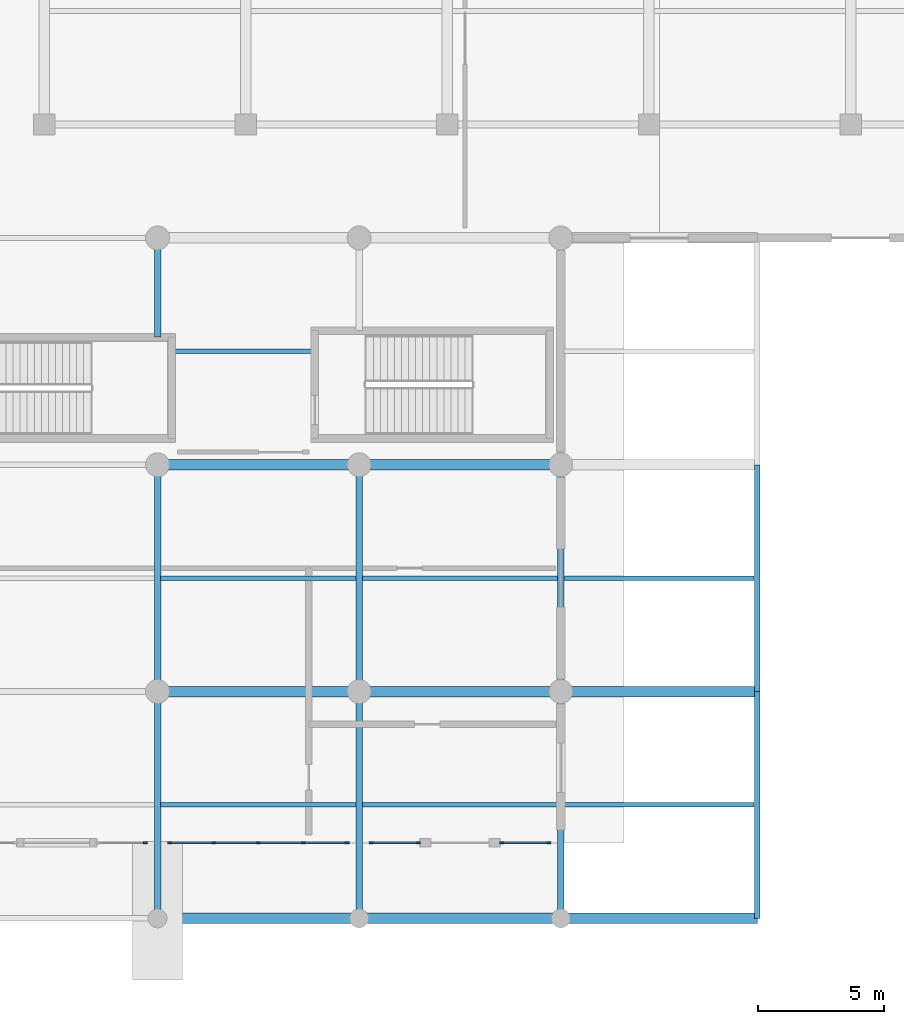
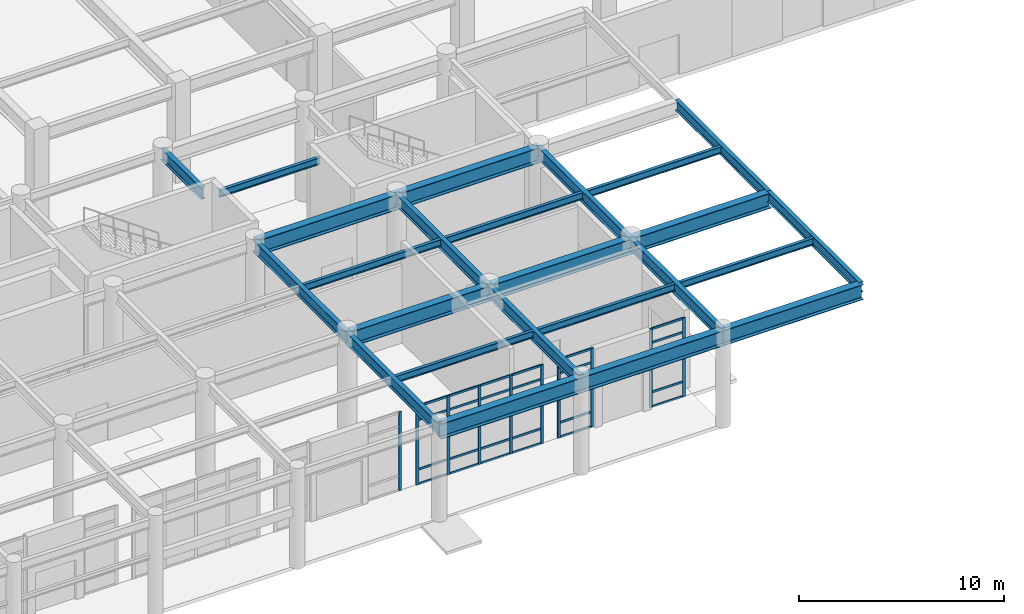
# One storey, part 15 of 49: 34 members, 21 beams, 4 elements without a shape of their own.
"""IFC4 building model written with IfcOpenShell, lengths in metres."""

from ifc_helpers import new_model, si_unit, direction, frame, origin, origin_2d, place, context, subcontext, project, spatial, rectangle, i_section, extrude, material, layer, layer_set, material_profile, profile_set, type_object, element, aggregate, save


model = new_model("IFC4")

# Units and contexts
model_context = context("Model", 3, precision=1e-05, world=origin(), true_north=direction((0.0, 1.0)))
body_context = subcontext(model_context, "Body", "Model", "MODEL_VIEW")
ifc_project = project(units=[si_unit("LENGTHUNIT", "METRE"), si_unit("AREAUNIT", "SQUARE_METRE"), si_unit("VOLUMEUNIT", "CUBIC_METRE"), si_unit("PLANEANGLEUNIT", "RADIAN"), si_unit("MASSUNIT", "GRAM", prefix="KILO")], contexts=[model_context])

# Site, building, storey
site_placement = place(None, origin())
site = spatial("IfcSite", under=ifc_project, at=site_placement, CompositionType="ELEMENT")
building_placement = place(site_placement, origin())
building = spatial("IfcBuilding", under=site, at=building_placement, Name="Tlacozan Convention Centre", CompositionType="ELEMENT")
storey_placement = place(building_placement, origin())
storey = spatial("IfcBuildingStorey", under=building, at=storey_placement, Name="L00", CompositionType="ELEMENT", Elevation=0.0)

# Beams
ifc_material_1 = material(Name="Steel ASTM A992 Grade 50", Category="steel")
ifc_material_profile_1 = material_profile(ifc_material_1, i_section(OverallWidth=0.41796875, OverallDepth=0.912109375, WebThickness=0.019287109375, FlangeThickness=0.031982421875, FilletRadius=0.02001953125, at=origin_2d()), Name="IR 914x342.0")
ifc_profile_set_1 = profile_set([ifc_material_profile_1], Name="Steel ASTM A992 Grade 50")
beam_type_1 = type_object("IfcBeamType", Name="Cantilever Girder IR 914x342", PredefinedType="BEAM", material=ifc_profile_set_1)
for number, where, z_axis, x_axis, name in (
    (1, (112.0, 0.0, 5.263916015625), (1.0, 0.0, 0.0), (0.0, 1.0, 0.0), "L00 Cantilever Girder IR 914x342 177"),
    (2, (112.0, 9.0, 5.263916015625), (1.0, 0.0, 0.0), (0.0, 1.0, 0.0), "L00 Cantilever Girder IR 914x342 181"),
):
    element("IfcBeam", number, at=place(storey_placement, frame(where, z_axis=z_axis, x_axis=x_axis)), inside=storey, type_object=beam_type_1, Name=name, PredefinedType="BEAM", context=body_context, shape_type="SweptSolid", body=[
        extrude(i_section(OverallWidth=0.41796875, OverallDepth=0.912109375, WebThickness=0.019287109375, FlangeThickness=0.031982421875, FilletRadius=0.02001953125, at=origin_2d()), origin(), (0.0, 0.0, 1.0), 7.800048828125),
    ])

# Curtain wall, member
ifc_material_2 = material(Name="Dark Bronze Anodised Aluminium", Category="aluminium")
ifc_layer = layer(ifc_material_2, 0.159912109375)
ifc_layer_set = layer_set([ifc_layer], Name="Dark Bronze Anodised Aluminium")
curtain_wall_type = type_object("IfcCurtainWallType", Name="Unitised Concourse Curtain Wall CW01", PredefinedType="NOTDEFINED", material=ifc_layer_set)
curtain_wall_1_placement = place(storey_placement, origin())
curtain_wall_1 = element("IfcCurtainWall", 3, at=curtain_wall_1_placement, inside=storey, type_object=curtain_wall_type, Name="L00 CW-01 Run 46", PredefinedType="NOTDEFINED")
ifc_material_profile_2 = material_profile(ifc_material_2, rectangle(XDim=0.06494140625, YDim=0.159912109375, at=origin_2d()), Name="ALU 65x160")
ifc_profile_set_2 = profile_set([ifc_material_profile_2], Name="Dark Bronze Anodised Aluminium")
member_type_1 = type_object("IfcMemberType", Name="Curtain Wall Mullion 65x160", PredefinedType="MULLION", material=ifc_profile_set_2)
member_1_placement = place(storey_placement, frame((95.517578125, 3.0, 0.0), z_axis=(0.0, 0.0, 1.0), x_axis=(0.0, 1.0, 0.0)))
member_1 = element("IfcMember", 4, at=member_1_placement, type_object=member_type_1, Name="CW-01 mullion 2", PredefinedType="MULLION", context=body_context, shape_type="SweptSolid", body=[
    extrude(rectangle(XDim=0.06494140625, YDim=0.159912109375, at=origin_2d()), origin(), (0.0, 0.0, 1.0), 4.699951171875),
])
aggregate(curtain_wall_1, [member_1])

# Curtain wall, members
curtain_wall_2_placement = place(storey_placement, origin())
curtain_wall_2 = element("IfcCurtainWall", 5, at=curtain_wall_2_placement, inside=storey, type_object=curtain_wall_type, Name="L00 CW-01 Run 47", PredefinedType="NOTDEFINED")
member_2_placement = place(storey_placement, frame((96.482421875, 3.0, 0.0), z_axis=(0.0, 0.0, 1.0), x_axis=(0.0, 1.0, 0.0)))
member_2 = element("IfcMember", 6, at=member_2_placement, type_object=member_type_1, Name="CW-01 mullion 1", PredefinedType="MULLION", context=body_context, shape_type="SweptSolid", body=[
    extrude(rectangle(XDim=0.06494140625, YDim=0.159912109375, at=origin_2d()), origin(), (0.0, 0.0, 1.0), 4.699951171875),
])
member_3_placement = place(storey_placement, frame((98.22509765625, 3.0, 0.0), z_axis=(0.0, 0.0, 1.0), x_axis=(0.0, 1.0, 0.0)))
member_3 = element("IfcMember", 7, at=member_3_placement, type_object=member_type_1, Name="CW-01 mullion 2", PredefinedType="MULLION", context=body_context, shape_type="SweptSolid", body=[
    extrude(rectangle(XDim=0.06494140625, YDim=0.159912109375, at=origin_2d()), origin(), (0.0, 0.0, 1.0), 4.699951171875),
])
member_4_placement = place(storey_placement, frame((100.0, 3.0, 0.0), z_axis=(0.0, 0.0, 1.0), x_axis=(0.0, 1.0, 0.0)))
member_4 = element("IfcMember", 8, at=member_4_placement, type_object=member_type_1, Name="CW-01 mullion 3", PredefinedType="MULLION", context=body_context, shape_type="SweptSolid", body=[
    extrude(rectangle(XDim=0.06494140625, YDim=0.159912109375, at=origin_2d()), origin(), (0.0, 0.0, 1.0), 4.699951171875),
])
member_5_placement = place(storey_placement, frame((101.77490234375, 3.0, 0.0), z_axis=(0.0, 0.0, 1.0), x_axis=(0.0, 1.0, 0.0)))
member_5 = element("IfcMember", 9, at=member_5_placement, type_object=member_type_1, Name="CW-01 mullion 4", PredefinedType="MULLION", context=body_context, shape_type="SweptSolid", body=[
    extrude(rectangle(XDim=0.06494140625, YDim=0.159912109375, at=origin_2d()), origin(), (0.0, 0.0, 1.0), 4.699951171875),
])
member_6_placement = place(storey_placement, frame((103.517578125, 3.0, 0.0), z_axis=(0.0, 0.0, 1.0), x_axis=(0.0, 1.0, 0.0)))
member_6 = element("IfcMember", 10, at=member_6_placement, type_object=member_type_1, Name="CW-01 mullion 5", PredefinedType="MULLION", context=body_context, shape_type="SweptSolid", body=[
    extrude(rectangle(XDim=0.06494140625, YDim=0.159912109375, at=origin_2d()), origin(), (0.0, 0.0, 1.0), 4.699951171875),
])

curtain_wall_3_placement = place(storey_placement, origin())
curtain_wall_3 = element("IfcCurtainWall", 11, at=curtain_wall_3_placement, inside=storey, type_object=curtain_wall_type, Name="L00 CW-01 Run 48", PredefinedType="NOTDEFINED")
member_7_placement = place(storey_placement, frame((104.482421875, 3.0, 0.0), z_axis=(0.0, 0.0, 1.0), x_axis=(0.0, 1.0, 0.0)))
member_7 = element("IfcMember", 12, at=member_7_placement, type_object=member_type_1, Name="CW-01 mullion 1", PredefinedType="MULLION", context=body_context, shape_type="SweptSolid", body=[
    extrude(rectangle(XDim=0.06494140625, YDim=0.159912109375, at=origin_2d()), origin(), (0.0, 0.0, 1.0), 4.699951171875),
])
member_8_placement = place(storey_placement, frame((106.347412109375, 3.0, 0.0), z_axis=(0.0, 0.0, 1.0), x_axis=(0.0, 1.0, 0.0)))
member_8 = element("IfcMember", 13, at=member_8_placement, type_object=member_type_1, Name="CW-01 mullion 2", PredefinedType="MULLION", context=body_context, shape_type="SweptSolid", body=[
    extrude(rectangle(XDim=0.06494140625, YDim=0.159912109375, at=origin_2d()), origin(), (0.0, 0.0, 1.0), 4.699951171875),
])

curtain_wall_4_placement = place(storey_placement, origin())
curtain_wall_4 = element("IfcCurtainWall", 14, at=curtain_wall_4_placement, inside=storey, type_object=curtain_wall_type, Name="L00 CW-01 Run 49", PredefinedType="NOTDEFINED")
member_9_placement = place(storey_placement, frame((109.652587890625, 3.0, 0.0), z_axis=(0.0, 0.0, 1.0), x_axis=(0.0, 1.0, 0.0)))
member_9 = element("IfcMember", 15, at=member_9_placement, type_object=member_type_1, Name="CW-01 mullion 1", PredefinedType="MULLION", context=body_context, shape_type="SweptSolid", body=[
    extrude(rectangle(XDim=0.06494140625, YDim=0.159912109375, at=origin_2d()), origin(), (0.0, 0.0, 1.0), 4.699951171875),
])
member_10_placement = place(storey_placement, frame((111.517578125, 3.0, 0.0), z_axis=(0.0, 0.0, 1.0), x_axis=(0.0, 1.0, 0.0)))
member_10 = element("IfcMember", 16, at=member_10_placement, type_object=member_type_1, Name="CW-01 mullion 2", PredefinedType="MULLION", context=body_context, shape_type="SweptSolid", body=[
    extrude(rectangle(XDim=0.06494140625, YDim=0.159912109375, at=origin_2d()), origin(), (0.0, 0.0, 1.0), 4.699951171875),
])

# Member
ifc_material_profile_3 = material_profile(ifc_material_2, rectangle(XDim=0.06494140625, YDim=0.125, at=origin_2d()), Name="ALU 65x125")
ifc_profile_set_3 = profile_set([ifc_material_profile_3], Name="Dark Bronze Anodised Aluminium")
member_type_2 = type_object("IfcMemberType", Name="Curtain Wall Transom 65x125", PredefinedType="USERDEFINED", material=ifc_profile_set_3)
member_11_placement = place(storey_placement, frame((96.514892578125, 3.0, 0.032470703125), z_axis=(1.0, 0.0, 0.0), x_axis=(0.0, 1.0, 0.0)))
member_11 = element("IfcMember", 17, at=member_11_placement, type_object=member_type_2, Name="CW-01 transom 1.1", ObjectType="TRANSOM", PredefinedType="USERDEFINED", context=body_context, shape_type="SweptSolid", body=[
    extrude(rectangle(XDim=0.06494140625, YDim=0.125, at=origin_2d()), origin(), (0.0, 0.0, 1.0), 1.677490234375),
])

member_12_placement = place(storey_placement, frame((96.514892578125, 3.0, 0.89990234375), z_axis=(1.0, 0.0, 0.0), x_axis=(0.0, 1.0, 0.0)))
member_12 = element("IfcMember", 18, at=member_12_placement, type_object=member_type_2, Name="CW-01 transom 1.2", ObjectType="TRANSOM", PredefinedType="USERDEFINED", context=body_context, shape_type="SweptSolid", body=[
    extrude(rectangle(XDim=0.06494140625, YDim=0.125, at=origin_2d()), origin(), (0.0, 0.0, 1.0), 1.677490234375),
])

member_13_placement = place(storey_placement, frame((96.514892578125, 3.0, 3.85009765625), z_axis=(1.0, 0.0, 0.0), x_axis=(0.0, 1.0, 0.0)))
member_13 = element("IfcMember", 19, at=member_13_placement, type_object=member_type_2, Name="CW-01 transom 1.3", ObjectType="TRANSOM", PredefinedType="USERDEFINED", context=body_context, shape_type="SweptSolid", body=[
    extrude(rectangle(XDim=0.06494140625, YDim=0.125, at=origin_2d()), origin(), (0.0, 0.0, 1.0), 1.677490234375),
])

member_14_placement = place(storey_placement, frame((96.514892578125, 3.0, 4.66748046875), z_axis=(1.0, 0.0, 0.0), x_axis=(0.0, 1.0, 0.0)))
member_14 = element("IfcMember", 20, at=member_14_placement, type_object=member_type_2, Name="CW-01 transom 1.4", ObjectType="TRANSOM", PredefinedType="USERDEFINED", context=body_context, shape_type="SweptSolid", body=[
    extrude(rectangle(XDim=0.06494140625, YDim=0.125, at=origin_2d()), origin(), (0.0, 0.0, 1.0), 1.677490234375),
])

member_15_placement = place(storey_placement, frame((98.257568359375, 3.0, 0.032470703125), z_axis=(1.0, 0.0, 0.0), x_axis=(0.0, 1.0, 0.0)))
member_15 = element("IfcMember", 21, at=member_15_placement, type_object=member_type_2, Name="CW-01 transom 2.1", ObjectType="TRANSOM", PredefinedType="USERDEFINED", context=body_context, shape_type="SweptSolid", body=[
    extrude(rectangle(XDim=0.06494140625, YDim=0.125, at=origin_2d()), origin(), (0.0, 0.0, 1.0), 1.7099609375),
])

member_16_placement = place(storey_placement, frame((98.257568359375, 3.0, 0.89990234375), z_axis=(1.0, 0.0, 0.0), x_axis=(0.0, 1.0, 0.0)))
member_16 = element("IfcMember", 22, at=member_16_placement, type_object=member_type_2, Name="CW-01 transom 2.2", ObjectType="TRANSOM", PredefinedType="USERDEFINED", context=body_context, shape_type="SweptSolid", body=[
    extrude(rectangle(XDim=0.06494140625, YDim=0.125, at=origin_2d()), origin(), (0.0, 0.0, 1.0), 1.7099609375),
])

member_17_placement = place(storey_placement, frame((98.257568359375, 3.0, 3.85009765625), z_axis=(1.0, 0.0, 0.0), x_axis=(0.0, 1.0, 0.0)))
member_17 = element("IfcMember", 23, at=member_17_placement, type_object=member_type_2, Name="CW-01 transom 2.3", ObjectType="TRANSOM", PredefinedType="USERDEFINED", context=body_context, shape_type="SweptSolid", body=[
    extrude(rectangle(XDim=0.06494140625, YDim=0.125, at=origin_2d()), origin(), (0.0, 0.0, 1.0), 1.7099609375),
])

member_18_placement = place(storey_placement, frame((98.257568359375, 3.0, 4.66748046875), z_axis=(1.0, 0.0, 0.0), x_axis=(0.0, 1.0, 0.0)))
member_18 = element("IfcMember", 24, at=member_18_placement, type_object=member_type_2, Name="CW-01 transom 2.4", ObjectType="TRANSOM", PredefinedType="USERDEFINED", context=body_context, shape_type="SweptSolid", body=[
    extrude(rectangle(XDim=0.06494140625, YDim=0.125, at=origin_2d()), origin(), (0.0, 0.0, 1.0), 1.7099609375),
])

member_19_placement = place(storey_placement, frame((100.032470703125, 3.0, 0.032470703125), z_axis=(1.0, 0.0, 0.0), x_axis=(0.0, 1.0, 0.0)))
member_19 = element("IfcMember", 25, at=member_19_placement, type_object=member_type_2, Name="CW-01 transom 3.1", ObjectType="TRANSOM", PredefinedType="USERDEFINED", context=body_context, shape_type="SweptSolid", body=[
    extrude(rectangle(XDim=0.06494140625, YDim=0.125, at=origin_2d()), origin(), (0.0, 0.0, 1.0), 1.7099609375),
])

member_20_placement = place(storey_placement, frame((100.032470703125, 3.0, 0.89990234375), z_axis=(1.0, 0.0, 0.0), x_axis=(0.0, 1.0, 0.0)))
member_20 = element("IfcMember", 26, at=member_20_placement, type_object=member_type_2, Name="CW-01 transom 3.2", ObjectType="TRANSOM", PredefinedType="USERDEFINED", context=body_context, shape_type="SweptSolid", body=[
    extrude(rectangle(XDim=0.06494140625, YDim=0.125, at=origin_2d()), origin(), (0.0, 0.0, 1.0), 1.7099609375),
])

member_21_placement = place(storey_placement, frame((100.032470703125, 3.0, 3.85009765625), z_axis=(1.0, 0.0, 0.0), x_axis=(0.0, 1.0, 0.0)))
member_21 = element("IfcMember", 27, at=member_21_placement, type_object=member_type_2, Name="CW-01 transom 3.3", ObjectType="TRANSOM", PredefinedType="USERDEFINED", context=body_context, shape_type="SweptSolid", body=[
    extrude(rectangle(XDim=0.06494140625, YDim=0.125, at=origin_2d()), origin(), (0.0, 0.0, 1.0), 1.7099609375),
])

member_22_placement = place(storey_placement, frame((100.032470703125, 3.0, 4.66748046875), z_axis=(1.0, 0.0, 0.0), x_axis=(0.0, 1.0, 0.0)))
member_22 = element("IfcMember", 28, at=member_22_placement, type_object=member_type_2, Name="CW-01 transom 3.4", ObjectType="TRANSOM", PredefinedType="USERDEFINED", context=body_context, shape_type="SweptSolid", body=[
    extrude(rectangle(XDim=0.06494140625, YDim=0.125, at=origin_2d()), origin(), (0.0, 0.0, 1.0), 1.7099609375),
])

member_23_placement = place(storey_placement, frame((101.8076171875, 3.0, 0.032470703125), z_axis=(1.0, 0.0, 0.0), x_axis=(0.0, 1.0, 0.0)))
member_23 = element("IfcMember", 29, at=member_23_placement, type_object=member_type_2, Name="CW-01 transom 4.1", ObjectType="TRANSOM", PredefinedType="USERDEFINED", context=body_context, shape_type="SweptSolid", body=[
    extrude(rectangle(XDim=0.06494140625, YDim=0.125, at=origin_2d()), origin(), (0.0, 0.0, 1.0), 1.677490234375),
])

member_24_placement = place(storey_placement, frame((101.8076171875, 3.0, 0.89990234375), z_axis=(1.0, 0.0, 0.0), x_axis=(0.0, 1.0, 0.0)))
member_24 = element("IfcMember", 30, at=member_24_placement, type_object=member_type_2, Name="CW-01 transom 4.2", ObjectType="TRANSOM", PredefinedType="USERDEFINED", context=body_context, shape_type="SweptSolid", body=[
    extrude(rectangle(XDim=0.06494140625, YDim=0.125, at=origin_2d()), origin(), (0.0, 0.0, 1.0), 1.677490234375),
])

member_25_placement = place(storey_placement, frame((101.8076171875, 3.0, 3.85009765625), z_axis=(1.0, 0.0, 0.0), x_axis=(0.0, 1.0, 0.0)))
member_25 = element("IfcMember", 31, at=member_25_placement, type_object=member_type_2, Name="CW-01 transom 4.3", ObjectType="TRANSOM", PredefinedType="USERDEFINED", context=body_context, shape_type="SweptSolid", body=[
    extrude(rectangle(XDim=0.06494140625, YDim=0.125, at=origin_2d()), origin(), (0.0, 0.0, 1.0), 1.677490234375),
])

member_26_placement = place(storey_placement, frame((101.8076171875, 3.0, 4.66748046875), z_axis=(1.0, 0.0, 0.0), x_axis=(0.0, 1.0, 0.0)))
member_26 = element("IfcMember", 32, at=member_26_placement, type_object=member_type_2, Name="CW-01 transom 4.4", ObjectType="TRANSOM", PredefinedType="USERDEFINED", context=body_context, shape_type="SweptSolid", body=[
    extrude(rectangle(XDim=0.06494140625, YDim=0.125, at=origin_2d()), origin(), (0.0, 0.0, 1.0), 1.677490234375),
])

aggregate(curtain_wall_2, [member_2, member_3, member_4, member_5, member_6, member_11, member_12, member_13, member_14, member_15, member_16, member_17, member_18, member_19, member_20, member_21, member_22, member_23, member_24, member_25, member_26])

member_27_placement = place(storey_placement, frame((104.514892578125, 3.0, 0.032470703125), z_axis=(1.0, 0.0, 0.0), x_axis=(0.0, 1.0, 0.0)))
member_27 = element("IfcMember", 33, at=member_27_placement, type_object=member_type_2, Name="CW-01 transom 1.1", ObjectType="TRANSOM", PredefinedType="USERDEFINED", context=body_context, shape_type="SweptSolid", body=[
    extrude(rectangle(XDim=0.06494140625, YDim=0.125, at=origin_2d()), origin(), (0.0, 0.0, 1.0), 1.800048828125),
])

member_28_placement = place(storey_placement, frame((104.514892578125, 3.0, 0.89990234375), z_axis=(1.0, 0.0, 0.0), x_axis=(0.0, 1.0, 0.0)))
member_28 = element("IfcMember", 34, at=member_28_placement, type_object=member_type_2, Name="CW-01 transom 1.2", ObjectType="TRANSOM", PredefinedType="USERDEFINED", context=body_context, shape_type="SweptSolid", body=[
    extrude(rectangle(XDim=0.06494140625, YDim=0.125, at=origin_2d()), origin(), (0.0, 0.0, 1.0), 1.800048828125),
])

member_29_placement = place(storey_placement, frame((104.514892578125, 3.0, 3.85009765625), z_axis=(1.0, 0.0, 0.0), x_axis=(0.0, 1.0, 0.0)))
member_29 = element("IfcMember", 35, at=member_29_placement, type_object=member_type_2, Name="CW-01 transom 1.3", ObjectType="TRANSOM", PredefinedType="USERDEFINED", context=body_context, shape_type="SweptSolid", body=[
    extrude(rectangle(XDim=0.06494140625, YDim=0.125, at=origin_2d()), origin(), (0.0, 0.0, 1.0), 1.800048828125),
])

member_30_placement = place(storey_placement, frame((104.514892578125, 3.0, 4.66748046875), z_axis=(1.0, 0.0, 0.0), x_axis=(0.0, 1.0, 0.0)))
member_30 = element("IfcMember", 36, at=member_30_placement, type_object=member_type_2, Name="CW-01 transom 1.4", ObjectType="TRANSOM", PredefinedType="USERDEFINED", context=body_context, shape_type="SweptSolid", body=[
    extrude(rectangle(XDim=0.06494140625, YDim=0.125, at=origin_2d()), origin(), (0.0, 0.0, 1.0), 1.800048828125),
])

aggregate(curtain_wall_3, [member_7, member_8, member_27, member_28, member_29, member_30])

member_31_placement = place(storey_placement, frame((109.68505859375, 3.0, 0.032470703125), z_axis=(1.0, 0.0, 0.0), x_axis=(0.0, 1.0, 0.0)))
member_31 = element("IfcMember", 37, at=member_31_placement, type_object=member_type_2, Name="CW-01 transom 1.1", ObjectType="TRANSOM", PredefinedType="USERDEFINED", context=body_context, shape_type="SweptSolid", body=[
    extrude(rectangle(XDim=0.06494140625, YDim=0.125, at=origin_2d()), origin(), (0.0, 0.0, 1.0), 1.800048828125),
])

member_32_placement = place(storey_placement, frame((109.68505859375, 3.0, 0.89990234375), z_axis=(1.0, 0.0, 0.0), x_axis=(0.0, 1.0, 0.0)))
member_32 = element("IfcMember", 38, at=member_32_placement, type_object=member_type_2, Name="CW-01 transom 1.2", ObjectType="TRANSOM", PredefinedType="USERDEFINED", context=body_context, shape_type="SweptSolid", body=[
    extrude(rectangle(XDim=0.06494140625, YDim=0.125, at=origin_2d()), origin(), (0.0, 0.0, 1.0), 1.800048828125),
])

member_33_placement = place(storey_placement, frame((109.68505859375, 3.0, 3.85009765625), z_axis=(1.0, 0.0, 0.0), x_axis=(0.0, 1.0, 0.0)))
member_33 = element("IfcMember", 39, at=member_33_placement, type_object=member_type_2, Name="CW-01 transom 1.3", ObjectType="TRANSOM", PredefinedType="USERDEFINED", context=body_context, shape_type="SweptSolid", body=[
    extrude(rectangle(XDim=0.06494140625, YDim=0.125, at=origin_2d()), origin(), (0.0, 0.0, 1.0), 1.800048828125),
])

member_34_placement = place(storey_placement, frame((109.68505859375, 3.0, 4.66748046875), z_axis=(1.0, 0.0, 0.0), x_axis=(0.0, 1.0, 0.0)))
member_34 = element("IfcMember", 40, at=member_34_placement, type_object=member_type_2, Name="CW-01 transom 1.4", ObjectType="TRANSOM", PredefinedType="USERDEFINED", context=body_context, shape_type="SweptSolid", body=[
    extrude(rectangle(XDim=0.06494140625, YDim=0.125, at=origin_2d()), origin(), (0.0, 0.0, 1.0), 1.800048828125),
])

aggregate(curtain_wall_4, [member_9, member_10, member_31, member_32, member_33, member_34])

# Beams
ifc_material_profile_4 = material_profile(ifc_material_1, i_section(OverallWidth=0.256103515625, OverallDepth=0.693115234375, WebThickness=0.014404296875, FlangeThickness=0.023681640625, FilletRadius=0.014892578125, at=origin_2d()), Name="IR 686x170.0")
ifc_profile_set_4 = profile_set([ifc_material_profile_4], Name="Steel ASTM A992 Grade 50")
beam_type_2 = type_object("IfcBeamType", Name="Girder Steel IR 686x170", PredefinedType="BEAM", material=ifc_profile_set_4)
for number, where, z_axis, x_axis, name in (
    (41, (96.0, 0.0, 5.37353515625), (0.0, 1.0, 0.0), (-1.0, 0.0, 0.0), "L00 Girder Steel IR 686x170 159"),
    (42, (96.0, 9.0, 5.37353515625), (0.0, 1.0, 0.0), (-1.0, 0.0, 0.0), "L00 Girder Steel IR 686x170 160"),
):
    element("IfcBeam", number, at=place(storey_placement, frame(where, z_axis=z_axis, x_axis=x_axis)), inside=storey, type_object=beam_type_2, Name=name, PredefinedType="BEAM", context=body_context, shape_type="SweptSolid", body=[
        extrude(i_section(OverallWidth=0.256103515625, OverallDepth=0.693115234375, WebThickness=0.014404296875, FlangeThickness=0.023681640625, FilletRadius=0.014892578125, at=origin_2d()), origin(), (0.0, 0.0, 1.0), 9.0),
    ])
beam_1_placement = place(storey_placement, frame((96.0, 23.06005859375, 5.37353515625), z_axis=(0.0, 1.0, 0.0), x_axis=(-1.0, 0.0, 0.0)))
element("IfcBeam", 43, at=beam_1_placement, inside=storey, type_object=beam_type_2, Name="L00 Girder Steel IR 686x170 161", PredefinedType="BEAM", context=body_context, shape_type="SweptSolid", body=[
    extrude(i_section(OverallWidth=0.256103515625, OverallDepth=0.693115234375, WebThickness=0.014404296875, FlangeThickness=0.023681640625, FilletRadius=0.014892578125, at=origin_2d()), origin(), (0.0, 0.0, 1.0), 3.93994140625),
])
for number, where, z_axis, x_axis, name in (
    (44, (104.0, 0.0, 5.37353515625), (0.0, 1.0, 0.0), (-1.0, 0.0, 0.0), "L00 Girder Steel IR 686x170 162"),
    (45, (104.0, 9.0, 5.37353515625), (0.0, 1.0, 0.0), (-1.0, 0.0, 0.0), "L00 Girder Steel IR 686x170 163"),
    (46, (112.0, 0.0, 5.37353515625), (0.0, 1.0, 0.0), (-1.0, 0.0, 0.0), "L00 Girder Steel IR 686x170 165"),
    (47, (112.0, 9.0, 5.37353515625), (0.0, 1.0, 0.0), (-1.0, 0.0, 0.0), "L00 Girder Steel IR 686x170 166"),
):
    element("IfcBeam", number, at=place(storey_placement, frame(where, z_axis=z_axis, x_axis=x_axis)), inside=storey, type_object=beam_type_2, Name=name, PredefinedType="BEAM", context=body_context, shape_type="SweptSolid", body=[
        extrude(i_section(OverallWidth=0.256103515625, OverallDepth=0.693115234375, WebThickness=0.014404296875, FlangeThickness=0.023681640625, FilletRadius=0.014892578125, at=origin_2d()), origin(), (0.0, 0.0, 1.0), 9.0),
    ])
ifc_material_profile_5 = material_profile(ifc_material_1, i_section(OverallWidth=0.22900390625, OverallDepth=0.612060546875, WebThickness=0.011962890625, FlangeThickness=0.01953125, FilletRadius=0.012939453125, at=origin_2d()), Name="IR 610x125.0")
ifc_profile_set_5 = profile_set([ifc_material_profile_5], Name="Steel ASTM A992 Grade 50")
beam_type_3 = type_object("IfcBeamType", Name="Perimeter Spandrel IR 610x125", PredefinedType="SPANDREL", material=ifc_profile_set_5)
for number, where, z_axis, x_axis, name in (
    (48, (119.800048828125, 0.0, 5.4140625), (0.0, 1.0, 0.0), (-1.0, 0.0, 0.0), "L00 Perimeter Spandrel IR 610x125 171"),
    (49, (119.800048828125, 9.0, 5.4140625), (0.0, 1.0, 0.0), (-1.0, 0.0, 0.0), "L00 Perimeter Spandrel IR 610x125 172"),
):
    element("IfcBeam", number, at=place(storey_placement, frame(where, z_axis=z_axis, x_axis=x_axis)), inside=storey, type_object=beam_type_3, Name=name, PredefinedType="SPANDREL", context=body_context, shape_type="SweptSolid", body=[
        extrude(i_section(OverallWidth=0.22900390625, OverallDepth=0.612060546875, WebThickness=0.011962890625, FlangeThickness=0.01953125, FilletRadius=0.012939453125, at=origin_2d()), origin(), (0.0, 0.0, 1.0), 9.0),
    ])
ifc_material_profile_6 = material_profile(ifc_material_1, i_section(OverallWidth=0.179931640625, OverallDepth=0.4130859375, WebThickness=0.009765625, FlangeThickness=0.01611328125, FilletRadius=0.010986328125, at=origin_2d()), Name="IR 406x74.4")
ifc_profile_set_6 = profile_set([ifc_material_profile_6], Name="Steel ASTM A992 Grade 50")
beam_type_4 = type_object("IfcBeamType", Name="Secondary Joist IR 406x74.4", PredefinedType="JOIST", material=ifc_profile_set_6)
for number, where, z_axis, x_axis, name in (
    (50, (96.1259765625, 4.5, 5.513427734375), (1.0, 0.0, 0.0), (0.0, 1.0, 0.0), "L00 Secondary Joist IR 406x74.4 255"),
    (51, (96.1259765625, 13.5, 5.513427734375), (1.0, 0.0, 0.0), (0.0, 1.0, 0.0), "L00 Secondary Joist IR 406x74.4 256"),
):
    element("IfcBeam", number, at=place(storey_placement, frame(where, z_axis=z_axis, x_axis=x_axis)), inside=storey, type_object=beam_type_4, Name=name, PredefinedType="JOIST", context=body_context, shape_type="SweptSolid", body=[
        extrude(i_section(OverallWidth=0.179931640625, OverallDepth=0.4130859375, WebThickness=0.009765625, FlangeThickness=0.01611328125, FilletRadius=0.010986328125, at=origin_2d()), origin(), (0.0, 0.0, 1.0), 7.748046875),
    ])
beam_2_placement = place(storey_placement, frame((96.56005859375, 22.5, 5.513427734375), z_axis=(1.0, 0.0, 0.0), x_axis=(0.0, 1.0, 0.0)))
element("IfcBeam", 52, at=beam_2_placement, inside=storey, type_object=beam_type_4, Name="L00 Secondary Joist IR 406x74.4 257", PredefinedType="JOIST", context=body_context, shape_type="SweptSolid", body=[
    extrude(i_section(OverallWidth=0.179931640625, OverallDepth=0.4130859375, WebThickness=0.009765625, FlangeThickness=0.01611328125, FilletRadius=0.010986328125, at=origin_2d()), origin(), (0.0, 0.0, 1.0), 5.679931640625),
])
for number, where, z_axis, x_axis, name in (
    (53, (104.1259765625, 4.5, 5.513427734375), (1.0, 0.0, 0.0), (0.0, 1.0, 0.0), "L00 Secondary Joist IR 406x74.4 258"),
    (54, (104.1259765625, 13.5, 5.513427734375), (1.0, 0.0, 0.0), (0.0, 1.0, 0.0), "L00 Secondary Joist IR 406x74.4 259"),
):
    element("IfcBeam", number, at=place(storey_placement, frame(where, z_axis=z_axis, x_axis=x_axis)), inside=storey, type_object=beam_type_4, Name=name, PredefinedType="JOIST", context=body_context, shape_type="SweptSolid", body=[
        extrude(i_section(OverallWidth=0.179931640625, OverallDepth=0.4130859375, WebThickness=0.009765625, FlangeThickness=0.01611328125, FilletRadius=0.010986328125, at=origin_2d()), origin(), (0.0, 0.0, 1.0), 7.748046875),
    ])
for number, where, z_axis, x_axis, name in (
    (55, (112.1259765625, 4.5, 5.513427734375), (1.0, 0.0, 0.0), (0.0, 1.0, 0.0), "L00 Secondary Joist IR 406x74.4 260"),
    (56, (112.1259765625, 13.5, 5.513427734375), (1.0, 0.0, 0.0), (0.0, 1.0, 0.0), "L00 Secondary Joist IR 406x74.4 261"),
):
    element("IfcBeam", number, at=place(storey_placement, frame(where, z_axis=z_axis, x_axis=x_axis)), inside=storey, type_object=beam_type_4, Name=name, PredefinedType="JOIST", context=body_context, shape_type="SweptSolid", body=[
        extrude(i_section(OverallWidth=0.179931640625, OverallDepth=0.4130859375, WebThickness=0.009765625, FlangeThickness=0.01611328125, FilletRadius=0.010986328125, at=origin_2d()), origin(), (0.0, 0.0, 1.0), 7.548095703125),
    ])
ifc_material_profile_7 = material_profile(ifc_material_1, i_section(OverallWidth=0.41796875, OverallDepth=0.912109375, WebThickness=0.019287109375, FlangeThickness=0.031982421875, FilletRadius=0.02001953125, at=origin_2d()), Name="IR 914x342.0")
ifc_profile_set_7 = profile_set([ifc_material_profile_7], Name="Steel ASTM A992 Grade 50")
beam_type_5 = type_object("IfcBeamType", Name="Transfer Girder IR 914x342", PredefinedType="BEAM", material=ifc_profile_set_7)
for number, where, z_axis, x_axis, name in (
    (57, (96.0, 0.0, 5.263916015625), (1.0, 0.0, 0.0), (0.0, 1.0, 0.0), "L00 Transfer Girder IR 914x342 176"),
    (58, (96.0, 9.0, 5.263916015625), (1.0, 0.0, 0.0), (0.0, 1.0, 0.0), "L00 Transfer Girder IR 914x342 180"),
    (59, (96.0, 18.0, 5.263916015625), (1.0, 0.0, 0.0), (0.0, 1.0, 0.0), "L00 Transfer Girder IR 914x342 184"),
):
    element("IfcBeam", number, at=place(storey_placement, frame(where, z_axis=z_axis, x_axis=x_axis)), inside=storey, type_object=beam_type_5, Name=name, PredefinedType="BEAM", context=body_context, shape_type="SweptSolid", body=[
        extrude(i_section(OverallWidth=0.41796875, OverallDepth=0.912109375, WebThickness=0.019287109375, FlangeThickness=0.031982421875, FilletRadius=0.02001953125, at=origin_2d()), origin(), (0.0, 0.0, 1.0), 16.0),
    ])

save(model, "model.ifc")
